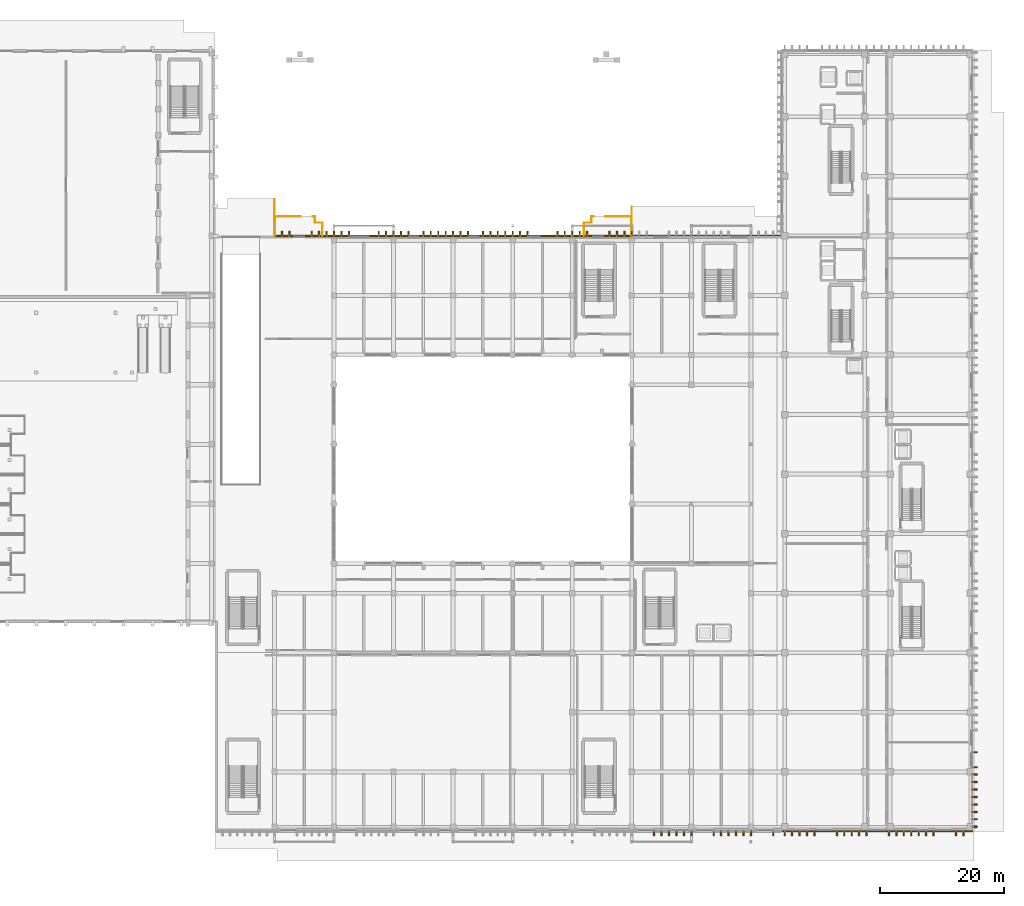
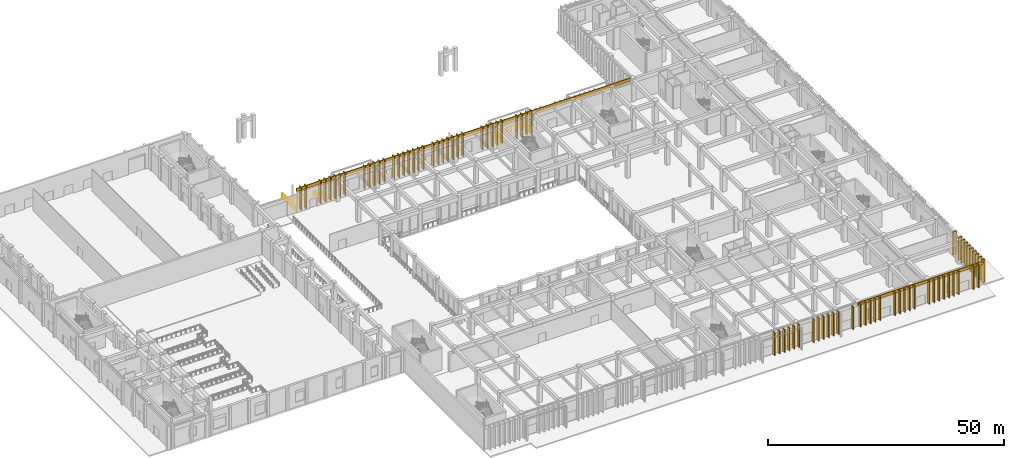
# One storey, part 75 of 87: 80 coverings, 78 shading devices, 6 railings.
"""IFC4 building model written with IfcOpenShell, lengths in metres."""

from ifc_helpers import new_model, si_unit, direction, frame, origin, origin_2d, place, context, subcontext, project, spatial, rectangle, circle, extrude, material, layer, layer_set, type_object, element, save


model = new_model("IFC4")

# Units and contexts
model_context = context("Model", 3, precision=1e-05, world=origin(), true_north=direction((0.0, 1.0)))
body_context = subcontext(model_context, "Body", "Model", "MODEL_VIEW")
ifc_project = project(units=[si_unit("LENGTHUNIT", "METRE"), si_unit("AREAUNIT", "SQUARE_METRE"), si_unit("VOLUMEUNIT", "CUBIC_METRE"), si_unit("PLANEANGLEUNIT", "RADIAN"), si_unit("MASSUNIT", "GRAM", prefix="KILO")], contexts=[model_context])

# Site, building, storey
site_placement = place(None, origin())
site = spatial("IfcSite", under=ifc_project, at=site_placement, CompositionType="ELEMENT")
building_placement = place(site_placement, origin())
building = spatial("IfcBuilding", under=site, at=building_placement, Name="Nakhvara Creek Congress Hotel", CompositionType="ELEMENT")
storey_placement = place(building_placement, origin())
storey = spatial("IfcBuildingStorey", under=building, at=storey_placement, Name="L00", CompositionType="ELEMENT", Elevation=0.0)

# Coverings
ifc_material_1 = material(Name="Honed pale Omani limestone architectural cladding", Category="masonry")
ifc_layer_1 = layer(ifc_material_1, 0.219970703125)
ifc_layer_set_1 = layer_set([ifc_layer_1], Name="Honed pale Omani limestone architectural cladding")
covering_type_1 = type_object("IfcCoveringType", Name="COV-FIN-850", PredefinedType="CLADDING", material=ifc_layer_set_1)
for number, where, z_axis, x_axis, name in (
    (1, (128.39990234375, -0.304931640625, 0.0), (0.0, 0.0, 1.0), (1.0, 0.0, 0.0), "Pale Limestone Fin Cladding CF01-0084"),
    (2, (129.60009765625, -0.304931640625, 0.0), (0.0, 0.0, 1.0), (1.0, 0.0, 0.0), "Pale Limestone Fin Cladding CF01-0085"),
    (3, (130.800048828125, -0.304931640625, 0.0), (0.0, 0.0, 1.0), (1.0, 0.0, 0.0), "Pale Limestone Fin Cladding CF01-0086"),
    (4, (132.0, -0.304931640625, 0.0), (0.0, 0.0, 1.0), (1.0, 0.0, 0.0), "Pale Limestone Fin Cladding CF01-0087"),
    (5, (133.199951171875, -0.304931640625, 0.0), (0.0, 0.0, 1.0), (1.0, 0.0, 0.0), "Pale Limestone Fin Cladding CF01-0088"),
    (6, (134.39990234375, -0.304931640625, 0.0), (0.0, 0.0, 1.0), (1.0, 0.0, 0.0), "Pale Limestone Fin Cladding CF01-0089"),
    (7, (138.0, -0.304931640625, 0.0), (0.0, 0.0, 1.0), (1.0, 0.0, 0.0), "Pale Limestone Fin Cladding CF01-0090"),
    (8, (139.199951171875, -0.304931640625, 0.0), (0.0, 0.0, 1.0), (1.0, 0.0, 0.0), "Pale Limestone Fin Cladding CF01-0091"),
    (9, (140.39990234375, -0.304931640625, 0.0), (0.0, 0.0, 1.0), (1.0, 0.0, 0.0), "Pale Limestone Fin Cladding CF01-0092"),
    (10, (141.60009765625, -0.304931640625, 0.0), (0.0, 0.0, 1.0), (1.0, 0.0, 0.0), "Pale Limestone Fin Cladding CF01-0093"),
    (11, (142.800048828125, -0.304931640625, 0.0), (0.0, 0.0, 1.0), (1.0, 0.0, 0.0), "Pale Limestone Fin Cladding CF01-0094"),
    (12, (144.0, -0.304931640625, 0.0), (0.0, 0.0, 1.0), (1.0, 0.0, 0.0), "Pale Limestone Fin Cladding CF01-0095"),
    (13, (147.60009765625, -0.304931640625, 0.0), (0.0, 0.0, 1.0), (1.0, 0.0, 0.0), "Pale Limestone Fin Cladding CF01-0096"),
    (14, (68.39990234375, 96.304931640625, 0.0), (0.0, 0.0, 1.0), (1.0, 0.0, 0.0), "Pale Limestone Fin Cladding CF01-0097"),
    (15, (69.60009765625, 96.304931640625, 0.0), (0.0, 0.0, 1.0), (1.0, 0.0, 0.0), "Pale Limestone Fin Cladding CF01-0098"),
    (16, (73.199951171875, 96.304931640625, 0.0), (0.0, 0.0, 1.0), (1.0, 0.0, 0.0), "Pale Limestone Fin Cladding CF01-0099"),
    (17, (74.39990234375, 96.304931640625, 0.0), (0.0, 0.0, 1.0), (1.0, 0.0, 0.0), "Pale Limestone Fin Cladding CF01-0100"),
    (18, (75.60009765625, 96.304931640625, 0.0), (0.0, 0.0, 1.0), (1.0, 0.0, 0.0), "Pale Limestone Fin Cladding CF01-0101"),
    (19, (76.800048828125, 96.304931640625, 0.0), (0.0, 0.0, 1.0), (1.0, 0.0, 0.0), "Pale Limestone Fin Cladding CF01-0102"),
    (20, (78.0, 96.304931640625, 0.0), (0.0, 0.0, 1.0), (1.0, 0.0, 0.0), "Pale Limestone Fin Cladding CF01-0103"),
    (21, (79.199951171875, 96.304931640625, 0.0), (0.0, 0.0, 1.0), (1.0, 0.0, 0.0), "Pale Limestone Fin Cladding CF01-0104"),
    (22, (84.0, 96.304931640625, 0.0), (0.0, 0.0, 1.0), (1.0, 0.0, 0.0), "Pale Limestone Fin Cladding CF01-0105"),
    (23, (85.199951171875, 96.304931640625, 0.0), (0.0, 0.0, 1.0), (1.0, 0.0, 0.0), "Pale Limestone Fin Cladding CF01-0106"),
    (24, (86.39990234375, 96.304931640625, 0.0), (0.0, 0.0, 1.0), (1.0, 0.0, 0.0), "Pale Limestone Fin Cladding CF01-0107"),
    (25, (87.60009765625, 96.304931640625, 0.0), (0.0, 0.0, 1.0), (1.0, 0.0, 0.0), "Pale Limestone Fin Cladding CF01-0108"),
    (26, (88.800048828125, 96.304931640625, 0.0), (0.0, 0.0, 1.0), (1.0, 0.0, 0.0), "Pale Limestone Fin Cladding CF01-0109"),
    (27, (91.199951171875, 96.304931640625, 0.0), (0.0, 0.0, 1.0), (1.0, 0.0, 0.0), "Pale Limestone Fin Cladding CF01-0110"),
    (28, (92.39990234375, 96.304931640625, 0.0), (0.0, 0.0, 1.0), (1.0, 0.0, 0.0), "Pale Limestone Fin Cladding CF01-0111"),
    (29, (93.60009765625, 96.304931640625, 0.0), (0.0, 0.0, 1.0), (1.0, 0.0, 0.0), "Pale Limestone Fin Cladding CF01-0112"),
    (30, (94.800048828125, 96.304931640625, 0.0), (0.0, 0.0, 1.0), (1.0, 0.0, 0.0), "Pale Limestone Fin Cladding CF01-0113"),
    (31, (96.0, 96.304931640625, 0.0), (0.0, 0.0, 1.0), (1.0, 0.0, 0.0), "Pale Limestone Fin Cladding CF01-0114"),
    (32, (97.199951171875, 96.304931640625, 0.0), (0.0, 0.0, 1.0), (1.0, 0.0, 0.0), "Pale Limestone Fin Cladding CF01-0115"),
    (33, (98.39990234375, 96.304931640625, 0.0), (0.0, 0.0, 1.0), (1.0, 0.0, 0.0), "Pale Limestone Fin Cladding CF01-0116"),
    (34, (100.800048828125, 96.304931640625, 0.0), (0.0, 0.0, 1.0), (1.0, 0.0, 0.0), "Pale Limestone Fin Cladding CF01-0117"),
    (35, (102.0, 96.304931640625, 0.0), (0.0, 0.0, 1.0), (1.0, 0.0, 0.0), "Pale Limestone Fin Cladding CF01-0118"),
    (36, (103.199951171875, 96.304931640625, 0.0), (0.0, 0.0, 1.0), (1.0, 0.0, 0.0), "Pale Limestone Fin Cladding CF01-0119"),
    (37, (104.39990234375, 96.304931640625, 0.0), (0.0, 0.0, 1.0), (1.0, 0.0, 0.0), "Pale Limestone Fin Cladding CF01-0120"),
    (38, (105.60009765625, 96.304931640625, 0.0), (0.0, 0.0, 1.0), (1.0, 0.0, 0.0), "Pale Limestone Fin Cladding CF01-0121"),
    (39, (106.800048828125, 96.304931640625, 0.0), (0.0, 0.0, 1.0), (1.0, 0.0, 0.0), "Pale Limestone Fin Cladding CF01-0122"),
    (40, (108.0, 96.304931640625, 0.0), (0.0, 0.0, 1.0), (1.0, 0.0, 0.0), "Pale Limestone Fin Cladding CF01-0123"),
    (41, (112.800048828125, 96.304931640625, 0.0), (0.0, 0.0, 1.0), (1.0, 0.0, 0.0), "Pale Limestone Fin Cladding CF01-0124"),
    (42, (114.0, 96.304931640625, 0.0), (0.0, 0.0, 1.0), (1.0, 0.0, 0.0), "Pale Limestone Fin Cladding CF01-0125"),
    (43, (115.199951171875, 96.304931640625, 0.0), (0.0, 0.0, 1.0), (1.0, 0.0, 0.0), "Pale Limestone Fin Cladding CF01-0126"),
    (44, (116.39990234375, 96.304931640625, 0.0), (0.0, 0.0, 1.0), (1.0, 0.0, 0.0), "Pale Limestone Fin Cladding CF01-0127"),
    (45, (117.60009765625, 96.304931640625, 0.0), (0.0, 0.0, 1.0), (1.0, 0.0, 0.0), "Pale Limestone Fin Cladding CF01-0128"),
    (46, (121.199951171875, 96.304931640625, 0.0), (0.0, 0.0, 1.0), (1.0, 0.0, 0.0), "Pale Limestone Fin Cladding CF01-0129"),
    (47, (122.39990234375, 96.304931640625, 0.0), (0.0, 0.0, 1.0), (1.0, 0.0, 0.0), "Pale Limestone Fin Cladding CF01-0130"),
    (48, (123.60009765625, 96.304931640625, 0.0), (0.0, 0.0, 1.0), (1.0, 0.0, 0.0), "Pale Limestone Fin Cladding CF01-0131"),
    (49, (124.800048828125, 96.304931640625, 0.0), (0.0, 0.0, 1.0), (1.0, 0.0, 0.0), "Pale Limestone Fin Cladding CF01-0132"),
):
    element("IfcCovering", number, at=place(storey_placement, frame(where, z_axis=z_axis, x_axis=x_axis)), inside=storey, type_object=covering_type_1, Name=name, PredefinedType="CLADDING", context=body_context, shape_type="SweptSolid", body=[
        extrude(rectangle(XDim=0.219970703125, YDim=0.85009765625, at=origin_2d()), origin(), (0.0, 0.0, 1.0), 5.919921875),
    ])
covering_1_placement = place(storey_placement, frame((180.054931640625, 0.75, 0.0), z_axis=(0.0, 0.0, 1.0), x_axis=(0.0, 1.0, 0.0)))
element("IfcCovering", 50, at=covering_1_placement, inside=storey, type_object=covering_type_1, Name="Pale Limestone Fin Cladding CF01-0533", PredefinedType="CLADDING", context=body_context, shape_type="SweptSolid", body=[
    extrude(rectangle(XDim=0.43994140625, YDim=0.85009765625, at=origin_2d()), origin(), (0.0, 0.0, 1.0), 5.9599609375),
])
for number, where, z_axis, x_axis, name in (
    (51, (180.054931640625, 1.949951171875, 0.0), (0.0, 0.0, 1.0), (0.0, 1.0, 0.0), "Pale Limestone Fin Cladding CF01-0534"),
    (52, (180.054931640625, 3.14990234375, 0.0), (0.0, 0.0, 1.0), (0.0, 1.0, 0.0), "Pale Limestone Fin Cladding CF01-0535"),
    (53, (180.054931640625, 4.35009765625, 0.0), (0.0, 0.0, 1.0), (0.0, 1.0, 0.0), "Pale Limestone Fin Cladding CF01-0536"),
    (54, (180.054931640625, 5.550048828125, 0.0), (0.0, 0.0, 1.0), (0.0, 1.0, 0.0), "Pale Limestone Fin Cladding CF01-0537"),
    (55, (180.054931640625, 6.75, 0.0), (0.0, 0.0, 1.0), (0.0, 1.0, 0.0), "Pale Limestone Fin Cladding CF01-0538"),
    (56, (180.054931640625, 7.949951171875, 0.0), (0.0, 0.0, 1.0), (0.0, 1.0, 0.0), "Pale Limestone Fin Cladding CF01-0539"),
    (57, (180.054931640625, 9.14990234375, 0.0), (0.0, 0.0, 1.0), (0.0, 1.0, 0.0), "Pale Limestone Fin Cladding CF01-0540"),
    (58, (180.054931640625, 10.35009765625, 0.0), (0.0, 0.0, 1.0), (0.0, 1.0, 0.0), "Pale Limestone Fin Cladding CF01-0541"),
    (59, (180.054931640625, 12.75, 0.0), (0.0, 0.0, 1.0), (0.0, 1.0, 0.0), "Pale Limestone Fin Cladding CF01-0542"),
    (60, (149.449951171875, -0.264892578125, 0.0), (0.0, 0.0, 1.0), (1.0, 0.0, 0.0), "Pale Limestone Fin Cladding CF01-0635"),
    (61, (150.64990234375, -0.264892578125, 0.0), (0.0, 0.0, 1.0), (1.0, 0.0, 0.0), "Pale Limestone Fin Cladding CF01-0637"),
    (62, (151.85009765625, -0.264892578125, 0.0), (0.0, 0.0, 1.0), (1.0, 0.0, 0.0), "Pale Limestone Fin Cladding CF01-0639"),
    (63, (153.050048828125, -0.264892578125, 0.0), (0.0, 0.0, 1.0), (1.0, 0.0, 0.0), "Pale Limestone Fin Cladding CF01-0641"),
    (64, (154.25, -0.264892578125, 0.0), (0.0, 0.0, 1.0), (1.0, 0.0, 0.0), "Pale Limestone Fin Cladding CF01-0642"),
    (65, (157.85009765625, -0.264892578125, 0.0), (0.0, 0.0, 1.0), (1.0, 0.0, 0.0), "Pale Limestone Fin Cladding CF01-0646"),
    (66, (159.050048828125, -0.264892578125, 0.0), (0.0, 0.0, 1.0), (1.0, 0.0, 0.0), "Pale Limestone Fin Cladding CF01-0648"),
    (67, (160.25, -0.264892578125, 0.0), (0.0, 0.0, 1.0), (1.0, 0.0, 0.0), "Pale Limestone Fin Cladding CF01-0650"),
    (68, (161.449951171875, -0.264892578125, 0.0), (0.0, 0.0, 1.0), (1.0, 0.0, 0.0), "Pale Limestone Fin Cladding CF01-0652"),
    (69, (162.64990234375, -0.264892578125, 0.0), (0.0, 0.0, 1.0), (1.0, 0.0, 0.0), "Pale Limestone Fin Cladding CF01-0654"),
    (70, (166.25, -0.264892578125, 0.0), (0.0, 0.0, 1.0), (1.0, 0.0, 0.0), "Pale Limestone Fin Cladding CF01-0658"),
    (71, (167.449951171875, -0.264892578125, 0.0), (0.0, 0.0, 1.0), (1.0, 0.0, 0.0), "Pale Limestone Fin Cladding CF01-0660"),
    (72, (168.64990234375, -0.264892578125, 0.0), (0.0, 0.0, 1.0), (1.0, 0.0, 0.0), "Pale Limestone Fin Cladding CF01-0662"),
    (73, (169.85009765625, -0.264892578125, 0.0), (0.0, 0.0, 1.0), (1.0, 0.0, 0.0), "Pale Limestone Fin Cladding CF01-0664"),
    (74, (171.050048828125, -0.264892578125, 0.0), (0.0, 0.0, 1.0), (1.0, 0.0, 0.0), "Pale Limestone Fin Cladding CF01-0666"),
    (75, (172.25, -0.264892578125, 0.0), (0.0, 0.0, 1.0), (1.0, 0.0, 0.0), "Pale Limestone Fin Cladding CF01-0668"),
    (76, (173.449951171875, -0.264892578125, 0.0), (0.0, 0.0, 1.0), (1.0, 0.0, 0.0), "Pale Limestone Fin Cladding CF01-0670"),
    (77, (177.050048828125, -0.264892578125, 0.0), (0.0, 0.0, 1.0), (1.0, 0.0, 0.0), "Pale Limestone Fin Cladding CF01-0674"),
    (78, (178.25, -0.264892578125, 0.0), (0.0, 0.0, 1.0), (1.0, 0.0, 0.0), "Pale Limestone Fin Cladding CF01-0676"),
):
    element("IfcCovering", number, at=place(storey_placement, frame(where, z_axis=z_axis, x_axis=x_axis)), inside=storey, type_object=covering_type_1, Name=name, PredefinedType="CLADDING", context=body_context, shape_type="SweptSolid", body=[
        extrude(rectangle(XDim=0.219970703125, YDim=0.85009765625, at=origin_2d()), origin(), (0.0, 0.0, 1.0), 5.9599609375),
    ])
ifc_layer_2 = layer(ifc_material_1, 0.179931640625)
ifc_layer_set_2 = layer_set([ifc_layer_2], Name="Honed pale Omani limestone architectural cladding")
covering_type_2 = type_object("IfcCoveringType", Name="COV-SPN-180", PredefinedType="CLADDING", material=ifc_layer_set_2)
covering_2_placement = place(storey_placement, frame((108.0, 95.989990234375, 5.23974609375), z_axis=(0.0, 0.0, 1.0), x_axis=(1.0, 0.0, 0.0)))
element("IfcCovering", 79, at=covering_2_placement, inside=storey, type_object=covering_type_2, Name="Pale Limestone Spandrel Band CF02-0002", PredefinedType="CLADDING", context=body_context, shape_type="SweptSolid", body=[
    extrude(rectangle(XDim=81.60009765625, YDim=0.219970703125, at=origin_2d()), origin(), (0.0, 0.0, 1.0), 0.780029296875),
])
covering_3_placement = place(storey_placement, frame((164.39990234375, 0.030029296875, 5.31005859375), z_axis=(0.0, 0.0, 1.0), x_axis=(1.0, 0.0, 0.0)))
element("IfcCovering", 80, at=covering_3_placement, inside=storey, type_object=covering_type_2, Name="Pale Limestone Spandrel Band CF02-0044", PredefinedType="CLADDING", context=body_context, shape_type="SweptSolid", body=[
    extrude(rectangle(XDim=30.699951171875, YDim=0.219970703125, at=origin_2d()), origin(), (0.0, 0.0, 1.0), 0.72998046875),
])

# Railings
ifc_material_2 = material(Name="Bronze-anodised aluminium and laminated safety glass balustrade", Category="aluminium")
railing_type = type_object("IfcRailingType", Name="RL-BALUS-1200", PredefinedType="BALUSTRADE", material=ifc_material_2)
railing_1_placement = place(storey_placement, frame((67.280029296875, 96.080078125, 0.0)))
element("IfcRailing", 81, at=railing_1_placement, inside=storey, type_object=railing_type, Name="Forecourt Promenade Balustrade GRD-PROM-W1", PredefinedType="BALUSTRADE", context=body_context, shape_type="SweptSolid", body=[
    extrude(circle(Radius=0.02392578125, at=origin_2d()), frame((0.0, 0.0146484375, 1.17578125), z_axis=(0.0, 1.0, 0.0), x_axis=(-1.0, 0.0, 0.0)), (0.0, 0.0, 1.0), 3.0107421875),
    extrude(circle(Radius=0.02392578125, at=origin_2d()), frame((0.0146484375, 3.0400390625, 1.17578125), z_axis=(1.0, 0.0, 0.0), x_axis=(0.0, 1.0, 0.0)), (0.0, 0.0, 1.0), 4.140625),
    extrude(circle(Radius=0.02099609375, at=origin_2d()), origin(), (0.0, 0.0, 1.0), 1.1806640625),
    extrude(circle(Radius=0.02099609375, at=origin_2d()), frame((0.0, 1.013427734375, 0.0)), (0.0, 0.0, 1.0), 1.1806640625),
    extrude(circle(Radius=0.02099609375, at=origin_2d()), frame((0.0, 2.026611328125, 0.0)), (0.0, 0.0, 1.0), 1.1806640625),
    extrude(circle(Radius=0.02099609375, at=origin_2d()), frame((0.0, 3.0400390625, 0.0)), (0.0, 0.0, 1.0), 1.1806640625),
    extrude(circle(Radius=0.02099609375, at=origin_2d()), frame((1.04248046875, 3.0400390625, 0.0)), (0.0, 0.0, 1.0), 1.1806640625),
    extrude(circle(Radius=0.02099609375, at=origin_2d()), frame((2.0849609375, 3.0400390625, 0.0)), (0.0, 0.0, 1.0), 1.1806640625),
    extrude(circle(Radius=0.02099609375, at=origin_2d()), frame((3.12744140625, 3.0400390625, 0.0)), (0.0, 0.0, 1.0), 1.1806640625),
    extrude(circle(Radius=0.02099609375, at=origin_2d()), frame((4.169921875, 3.0400390625, 0.0)), (0.0, 0.0, 1.0), 1.1806640625),
])
railing_2_placement = place(storey_placement, frame((73.35009765625, 99.1201171875, 0.0)))
element("IfcRailing", 82, at=railing_2_placement, inside=storey, type_object=railing_type, Name="Forecourt Promenade Balustrade GRD-PROM-W2", PredefinedType="BALUSTRADE", context=body_context, shape_type="SweptSolid", body=[
    extrude(circle(Radius=0.02392578125, at=origin_2d()), frame((0.0146484375, 0.0, 1.17578125), z_axis=(1.0, 0.0, 0.0), x_axis=(0.0, 1.0, 0.0)), (0.0, 0.0, 1.0), 0.340576171875),
    extrude(circle(Radius=0.02392578125, at=origin_2d()), frame((0.369873046875, -0.0146484375, 1.17578125), z_axis=(0.0, -1.0, 0.0), x_axis=(1.0, 0.0, 0.0)), (0.0, 0.0, 1.0), 0.970703125),
    extrude(circle(Radius=0.02392578125, at=origin_2d()), frame((0.384521484375, -1.0, 1.17578125), z_axis=(1.0, 0.0, 0.0), x_axis=(0.0, 1.0, 0.0)), (0.0, 0.0, 1.0), 1.170654296875),
    extrude(circle(Radius=0.02392578125, at=origin_2d()), frame((1.56982421875, -1.0146484375, 1.17578125), z_axis=(0.0, -1.0, 0.0), x_axis=(1.0, 0.0, 0.0)), (0.0, 0.0, 1.0), 2.0107421875),
    extrude(circle(Radius=0.02099609375, at=origin_2d()), origin(), (0.0, 0.0, 1.0), 1.1806640625),
    extrude(circle(Radius=0.02099609375, at=origin_2d()), frame((0.369873046875, 0.0, 0.0)), (0.0, 0.0, 1.0), 1.1806640625),
    extrude(circle(Radius=0.02099609375, at=origin_2d()), frame((0.369873046875, -1.0, 0.0)), (0.0, 0.0, 1.0), 1.1806640625),
    extrude(circle(Radius=0.02099609375, at=origin_2d()), frame((1.56982421875, -1.0, 0.0)), (0.0, 0.0, 1.0), 1.1806640625),
    extrude(circle(Radius=0.02099609375, at=origin_2d()), frame((1.56982421875, -2.02001953125, 0.0)), (0.0, 0.0, 1.0), 1.1806640625),
    extrude(circle(Radius=0.02099609375, at=origin_2d()), frame((1.56982421875, -3.0400390625, 0.0)), (0.0, 0.0, 1.0), 1.1806640625),
])
railing_3_placement = place(storey_placement, frame((124.719970703125, 96.080078125, 0.0)))
element("IfcRailing", 83, at=railing_3_placement, inside=storey, type_object=railing_type, Name="Forecourt Promenade Balustrade GRD-PROM-E1", PredefinedType="BALUSTRADE", context=body_context, shape_type="SweptSolid", body=[
    extrude(circle(Radius=0.02392578125, at=origin_2d()), frame((0.0, 0.0146484375, 1.17578125), z_axis=(0.0, 1.0, 0.0), x_axis=(-1.0, 0.0, 0.0)), (0.0, 0.0, 1.0), 3.0107421875),
    extrude(circle(Radius=0.02392578125, at=origin_2d()), frame((-0.0146484375, 3.0400390625, 1.17578125), z_axis=(-1.0, 0.0, 0.0), x_axis=(0.0, -1.0, 0.0)), (0.0, 0.0, 1.0), 4.140625),
    extrude(circle(Radius=0.02099609375, at=origin_2d()), origin(), (0.0, 0.0, 1.0), 1.1806640625),
    extrude(circle(Radius=0.02099609375, at=origin_2d()), frame((0.0, 1.013427734375, 0.0)), (0.0, 0.0, 1.0), 1.1806640625),
    extrude(circle(Radius=0.02099609375, at=origin_2d()), frame((0.0, 2.026611328125, 0.0)), (0.0, 0.0, 1.0), 1.1806640625),
    extrude(circle(Radius=0.02099609375, at=origin_2d()), frame((0.0, 3.0400390625, 0.0)), (0.0, 0.0, 1.0), 1.1806640625),
    extrude(circle(Radius=0.02099609375, at=origin_2d()), frame((-1.04248046875, 3.0400390625, 0.0)), (0.0, 0.0, 1.0), 1.1806640625),
    extrude(circle(Radius=0.02099609375, at=origin_2d()), frame((-2.0849609375, 3.0400390625, 0.0)), (0.0, 0.0, 1.0), 1.1806640625),
    extrude(circle(Radius=0.02099609375, at=origin_2d()), frame((-3.12744140625, 3.0400390625, 0.0)), (0.0, 0.0, 1.0), 1.1806640625),
    extrude(circle(Radius=0.02099609375, at=origin_2d()), frame((-4.169921875, 3.0400390625, 0.0)), (0.0, 0.0, 1.0), 1.1806640625),
])
railing_4_placement = place(storey_placement, frame((118.64990234375, 99.1201171875, 0.0)))
element("IfcRailing", 84, at=railing_4_placement, inside=storey, type_object=railing_type, Name="Forecourt Promenade Balustrade GRD-PROM-E2", PredefinedType="BALUSTRADE", context=body_context, shape_type="SweptSolid", body=[
    extrude(circle(Radius=0.02392578125, at=origin_2d()), frame((-0.0146484375, 0.0, 1.17578125), z_axis=(-1.0, 0.0, 0.0), x_axis=(0.0, -1.0, 0.0)), (0.0, 0.0, 1.0), 0.340576171875),
    extrude(circle(Radius=0.02392578125, at=origin_2d()), frame((-0.369873046875, -0.0146484375, 1.17578125), z_axis=(0.0, -1.0, 0.0), x_axis=(1.0, 0.0, 0.0)), (0.0, 0.0, 1.0), 0.970703125),
    extrude(circle(Radius=0.02392578125, at=origin_2d()), frame((-0.384521484375, -1.0, 1.17578125), z_axis=(-1.0, 0.0, 0.0), x_axis=(0.0, -1.0, 0.0)), (0.0, 0.0, 1.0), 1.170654296875),
    extrude(circle(Radius=0.02392578125, at=origin_2d()), frame((-1.56982421875, -1.0146484375, 1.17578125), z_axis=(0.0, -1.0, 0.0), x_axis=(1.0, 0.0, 0.0)), (0.0, 0.0, 1.0), 2.0107421875),
    extrude(circle(Radius=0.02099609375, at=origin_2d()), origin(), (0.0, 0.0, 1.0), 1.1806640625),
    extrude(circle(Radius=0.02099609375, at=origin_2d()), frame((-0.369873046875, 0.0, 0.0)), (0.0, 0.0, 1.0), 1.1806640625),
    extrude(circle(Radius=0.02099609375, at=origin_2d()), frame((-0.369873046875, -1.0, 0.0)), (0.0, 0.0, 1.0), 1.1806640625),
    extrude(circle(Radius=0.02099609375, at=origin_2d()), frame((-1.56982421875, -1.0, 0.0)), (0.0, 0.0, 1.0), 1.1806640625),
    extrude(circle(Radius=0.02099609375, at=origin_2d()), frame((-1.56982421875, -2.02001953125, 0.0)), (0.0, 0.0, 1.0), 1.1806640625),
    extrude(circle(Radius=0.02099609375, at=origin_2d()), frame((-1.56982421875, -3.0400390625, 0.0)), (0.0, 0.0, 1.0), 1.1806640625),
])
railing_5_placement = place(storey_placement, frame((67.199951171875, 96.080078125, 0.0)))
element("IfcRailing", 85, at=railing_5_placement, inside=storey, type_object=railing_type, Name="Forecourt West Rim Guard", PredefinedType="BALUSTRADE", context=body_context, shape_type="SweptSolid", body=[
    extrude(circle(Radius=0.02392578125, at=origin_2d()), frame((0.0, 0.0146484375, 1.17578125), z_axis=(0.0, 1.0, 0.0), x_axis=(-1.0, 0.0, 0.0)), (0.0, 0.0, 1.0), 5.79052734375),
    extrude(circle(Radius=0.02099609375, at=origin_2d()), origin(), (0.0, 0.0, 1.0), 1.1806640625),
    extrude(circle(Radius=0.02099609375, at=origin_2d()), frame((0.0, 1.1640625, 0.0)), (0.0, 0.0, 1.0), 1.1806640625),
    extrude(circle(Radius=0.02099609375, at=origin_2d()), frame((0.0, 2.327880859375, 0.0)), (0.0, 0.0, 1.0), 1.1806640625),
    extrude(circle(Radius=0.02099609375, at=origin_2d()), frame((0.0, 3.491943359375, 0.0)), (0.0, 0.0, 1.0), 1.1806640625),
    extrude(circle(Radius=0.02099609375, at=origin_2d()), frame((0.0, 4.65576171875, 0.0)), (0.0, 0.0, 1.0), 1.1806640625),
    extrude(circle(Radius=0.02099609375, at=origin_2d()), frame((0.0, 5.81982421875, 0.0)), (0.0, 0.0, 1.0), 1.1806640625),
])
railing_6_placement = place(storey_placement, frame((124.800048828125, 96.080078125, 0.0)))
element("IfcRailing", 86, at=railing_6_placement, inside=storey, type_object=railing_type, Name="Forecourt East Rim Guard", PredefinedType="BALUSTRADE", context=body_context, shape_type="SweptSolid", body=[
    extrude(circle(Radius=0.02392578125, at=origin_2d()), frame((0.0, 0.0146484375, 1.17578125), z_axis=(0.0, 1.0, 0.0), x_axis=(-1.0, 0.0, 0.0)), (0.0, 0.0, 1.0), 4.590576171875),
    extrude(circle(Radius=0.02099609375, at=origin_2d()), origin(), (0.0, 0.0, 1.0), 1.1806640625),
    extrude(circle(Radius=0.02099609375, at=origin_2d()), frame((0.0, 1.155029296875, 0.0)), (0.0, 0.0, 1.0), 1.1806640625),
    extrude(circle(Radius=0.02099609375, at=origin_2d()), frame((0.0, 2.31005859375, 0.0)), (0.0, 0.0, 1.0), 1.1806640625),
    extrude(circle(Radius=0.02099609375, at=origin_2d()), frame((0.0, 3.46484375, 0.0)), (0.0, 0.0, 1.0), 1.1806640625),
    extrude(circle(Radius=0.02099609375, at=origin_2d()), frame((0.0, 4.619873046875, 0.0)), (0.0, 0.0, 1.0), 1.1806640625),
])

# Shading devices
ifc_material_3 = material(Name="Honed pale Omani limestone cladding on stainless steel spine", Category="masonry")
shading_device_type = type_object("IfcShadingDeviceType", Name="SHD-FIN-850X5800", PredefinedType="USERDEFINED", material=ifc_material_3)
for number, where, z_axis, x_axis, name in (
    (87, (128.39990234375, -0.304931640625, 0.0), (0.0, 0.0, 1.0), (1.0, 0.0, 0.0), "Limestone Solar Fin FN03-0084"),
    (88, (129.60009765625, -0.304931640625, 0.0), (0.0, 0.0, 1.0), (1.0, 0.0, 0.0), "Limestone Solar Fin FN03-0085"),
    (89, (130.800048828125, -0.304931640625, 0.0), (0.0, 0.0, 1.0), (1.0, 0.0, 0.0), "Limestone Solar Fin FN03-0086"),
    (90, (132.0, -0.304931640625, 0.0), (0.0, 0.0, 1.0), (1.0, 0.0, 0.0), "Limestone Solar Fin FN03-0087"),
    (91, (133.199951171875, -0.304931640625, 0.0), (0.0, 0.0, 1.0), (1.0, 0.0, 0.0), "Limestone Solar Fin FN03-0088"),
    (92, (134.39990234375, -0.304931640625, 0.0), (0.0, 0.0, 1.0), (1.0, 0.0, 0.0), "Limestone Solar Fin FN03-0089"),
    (93, (138.0, -0.304931640625, 0.0), (0.0, 0.0, 1.0), (1.0, 0.0, 0.0), "Limestone Solar Fin FN03-0090"),
    (94, (139.199951171875, -0.304931640625, 0.0), (0.0, 0.0, 1.0), (1.0, 0.0, 0.0), "Limestone Solar Fin FN03-0091"),
    (95, (140.39990234375, -0.304931640625, 0.0), (0.0, 0.0, 1.0), (1.0, 0.0, 0.0), "Limestone Solar Fin FN03-0092"),
    (96, (141.60009765625, -0.304931640625, 0.0), (0.0, 0.0, 1.0), (1.0, 0.0, 0.0), "Limestone Solar Fin FN03-0093"),
    (97, (142.800048828125, -0.304931640625, 0.0), (0.0, 0.0, 1.0), (1.0, 0.0, 0.0), "Limestone Solar Fin FN03-0094"),
    (98, (144.0, -0.304931640625, 0.0), (0.0, 0.0, 1.0), (1.0, 0.0, 0.0), "Limestone Solar Fin FN03-0095"),
    (99, (147.60009765625, -0.304931640625, 0.0), (0.0, 0.0, 1.0), (1.0, 0.0, 0.0), "Limestone Solar Fin FN03-0096"),
    (100, (68.39990234375, 96.304931640625, 0.0), (0.0, 0.0, 1.0), (1.0, 0.0, 0.0), "Limestone Solar Fin FN03-0097"),
    (101, (69.60009765625, 96.304931640625, 0.0), (0.0, 0.0, 1.0), (1.0, 0.0, 0.0), "Limestone Solar Fin FN03-0098"),
    (102, (73.199951171875, 96.304931640625, 0.0), (0.0, 0.0, 1.0), (1.0, 0.0, 0.0), "Limestone Solar Fin FN03-0099"),
    (103, (74.39990234375, 96.304931640625, 0.0), (0.0, 0.0, 1.0), (1.0, 0.0, 0.0), "Limestone Solar Fin FN03-0100"),
    (104, (75.60009765625, 96.304931640625, 0.0), (0.0, 0.0, 1.0), (1.0, 0.0, 0.0), "Limestone Solar Fin FN03-0101"),
    (105, (76.800048828125, 96.304931640625, 0.0), (0.0, 0.0, 1.0), (1.0, 0.0, 0.0), "Limestone Solar Fin FN03-0102"),
    (106, (78.0, 96.304931640625, 0.0), (0.0, 0.0, 1.0), (1.0, 0.0, 0.0), "Limestone Solar Fin FN03-0103"),
    (107, (79.199951171875, 96.304931640625, 0.0), (0.0, 0.0, 1.0), (1.0, 0.0, 0.0), "Limestone Solar Fin FN03-0104"),
    (108, (84.0, 96.304931640625, 0.0), (0.0, 0.0, 1.0), (1.0, 0.0, 0.0), "Limestone Solar Fin FN03-0105"),
    (109, (85.199951171875, 96.304931640625, 0.0), (0.0, 0.0, 1.0), (1.0, 0.0, 0.0), "Limestone Solar Fin FN03-0106"),
    (110, (86.39990234375, 96.304931640625, 0.0), (0.0, 0.0, 1.0), (1.0, 0.0, 0.0), "Limestone Solar Fin FN03-0107"),
    (111, (87.60009765625, 96.304931640625, 0.0), (0.0, 0.0, 1.0), (1.0, 0.0, 0.0), "Limestone Solar Fin FN03-0108"),
    (112, (88.800048828125, 96.304931640625, 0.0), (0.0, 0.0, 1.0), (1.0, 0.0, 0.0), "Limestone Solar Fin FN03-0109"),
    (113, (91.199951171875, 96.304931640625, 0.0), (0.0, 0.0, 1.0), (1.0, 0.0, 0.0), "Limestone Solar Fin FN03-0110"),
    (114, (92.39990234375, 96.304931640625, 0.0), (0.0, 0.0, 1.0), (1.0, 0.0, 0.0), "Limestone Solar Fin FN03-0111"),
    (115, (93.60009765625, 96.304931640625, 0.0), (0.0, 0.0, 1.0), (1.0, 0.0, 0.0), "Limestone Solar Fin FN03-0112"),
    (116, (94.800048828125, 96.304931640625, 0.0), (0.0, 0.0, 1.0), (1.0, 0.0, 0.0), "Limestone Solar Fin FN03-0113"),
    (117, (96.0, 96.304931640625, 0.0), (0.0, 0.0, 1.0), (1.0, 0.0, 0.0), "Limestone Solar Fin FN03-0114"),
    (118, (97.199951171875, 96.304931640625, 0.0), (0.0, 0.0, 1.0), (1.0, 0.0, 0.0), "Limestone Solar Fin FN03-0115"),
    (119, (98.39990234375, 96.304931640625, 0.0), (0.0, 0.0, 1.0), (1.0, 0.0, 0.0), "Limestone Solar Fin FN03-0116"),
    (120, (100.800048828125, 96.304931640625, 0.0), (0.0, 0.0, 1.0), (1.0, 0.0, 0.0), "Limestone Solar Fin FN03-0117"),
    (121, (102.0, 96.304931640625, 0.0), (0.0, 0.0, 1.0), (1.0, 0.0, 0.0), "Limestone Solar Fin FN03-0118"),
    (122, (103.199951171875, 96.304931640625, 0.0), (0.0, 0.0, 1.0), (1.0, 0.0, 0.0), "Limestone Solar Fin FN03-0119"),
    (123, (104.39990234375, 96.304931640625, 0.0), (0.0, 0.0, 1.0), (1.0, 0.0, 0.0), "Limestone Solar Fin FN03-0120"),
    (124, (105.60009765625, 96.304931640625, 0.0), (0.0, 0.0, 1.0), (1.0, 0.0, 0.0), "Limestone Solar Fin FN03-0121"),
    (125, (106.800048828125, 96.304931640625, 0.0), (0.0, 0.0, 1.0), (1.0, 0.0, 0.0), "Limestone Solar Fin FN03-0122"),
    (126, (108.0, 96.304931640625, 0.0), (0.0, 0.0, 1.0), (1.0, 0.0, 0.0), "Limestone Solar Fin FN03-0123"),
    (127, (112.800048828125, 96.304931640625, 0.0), (0.0, 0.0, 1.0), (1.0, 0.0, 0.0), "Limestone Solar Fin FN03-0124"),
    (128, (114.0, 96.304931640625, 0.0), (0.0, 0.0, 1.0), (1.0, 0.0, 0.0), "Limestone Solar Fin FN03-0125"),
    (129, (115.199951171875, 96.304931640625, 0.0), (0.0, 0.0, 1.0), (1.0, 0.0, 0.0), "Limestone Solar Fin FN03-0126"),
    (130, (116.39990234375, 96.304931640625, 0.0), (0.0, 0.0, 1.0), (1.0, 0.0, 0.0), "Limestone Solar Fin FN03-0127"),
    (131, (117.60009765625, 96.304931640625, 0.0), (0.0, 0.0, 1.0), (1.0, 0.0, 0.0), "Limestone Solar Fin FN03-0128"),
    (132, (121.199951171875, 96.304931640625, 0.0), (0.0, 0.0, 1.0), (1.0, 0.0, 0.0), "Limestone Solar Fin FN03-0129"),
    (133, (122.39990234375, 96.304931640625, 0.0), (0.0, 0.0, 1.0), (1.0, 0.0, 0.0), "Limestone Solar Fin FN03-0130"),
    (134, (123.60009765625, 96.304931640625, 0.0), (0.0, 0.0, 1.0), (1.0, 0.0, 0.0), "Limestone Solar Fin FN03-0131"),
    (135, (124.800048828125, 96.304931640625, 0.0), (0.0, 0.0, 1.0), (1.0, 0.0, 0.0), "Limestone Solar Fin FN03-0132"),
):
    element("IfcShadingDevice", number, at=place(storey_placement, frame(where, z_axis=z_axis, x_axis=x_axis)), inside=storey, type_object=shading_device_type, Name=name, ObjectType="FIN", PredefinedType="USERDEFINED", context=body_context, shape_type="SweptSolid", body=[
        extrude(rectangle(XDim=0.219970703125, YDim=0.85009765625, at=origin_2d()), origin(), (0.0, 0.0, 1.0), 5.919921875),
    ])
for number, where, z_axis, x_axis, name in (
    (136, (180.054931640625, 0.75, 0.0), (0.0, 0.0, 1.0), (0.0, 1.0, 0.0), "Limestone Solar Fin FN03-0398"),
    (137, (180.054931640625, 1.949951171875, 0.0), (0.0, 0.0, 1.0), (0.0, 1.0, 0.0), "Limestone Solar Fin FN03-0399"),
    (138, (180.054931640625, 3.14990234375, 0.0), (0.0, 0.0, 1.0), (0.0, 1.0, 0.0), "Limestone Solar Fin FN03-0400"),
    (139, (180.054931640625, 4.35009765625, 0.0), (0.0, 0.0, 1.0), (0.0, 1.0, 0.0), "Limestone Solar Fin FN03-0401"),
    (140, (180.054931640625, 5.550048828125, 0.0), (0.0, 0.0, 1.0), (0.0, 1.0, 0.0), "Limestone Solar Fin FN03-0402"),
    (141, (180.054931640625, 6.75, 0.0), (0.0, 0.0, 1.0), (0.0, 1.0, 0.0), "Limestone Solar Fin FN03-0403"),
    (142, (180.054931640625, 7.949951171875, 0.0), (0.0, 0.0, 1.0), (0.0, 1.0, 0.0), "Limestone Solar Fin FN03-0404"),
    (143, (180.054931640625, 9.14990234375, 0.0), (0.0, 0.0, 1.0), (0.0, 1.0, 0.0), "Limestone Solar Fin FN03-0405"),
    (144, (180.054931640625, 10.35009765625, 0.0), (0.0, 0.0, 1.0), (0.0, 1.0, 0.0), "Limestone Solar Fin FN03-0406"),
    (145, (180.054931640625, 12.75, 0.0), (0.0, 0.0, 1.0), (0.0, 1.0, 0.0), "Limestone Solar Fin FN03-0407"),
    (146, (149.449951171875, -0.264892578125, 0.0), (0.0, 0.0, 1.0), (1.0, 0.0, 0.0), "Limestone Solar Fin FN03-0500"),
    (147, (150.64990234375, -0.264892578125, 0.0), (0.0, 0.0, 1.0), (1.0, 0.0, 0.0), "Limestone Solar Fin FN03-0502"),
    (148, (151.85009765625, -0.264892578125, 0.0), (0.0, 0.0, 1.0), (1.0, 0.0, 0.0), "Limestone Solar Fin FN03-0504"),
    (149, (153.050048828125, -0.264892578125, 0.0), (0.0, 0.0, 1.0), (1.0, 0.0, 0.0), "Limestone Solar Fin FN03-0506"),
    (150, (154.25, -0.264892578125, 0.0), (0.0, 0.0, 1.0), (1.0, 0.0, 0.0), "Limestone Solar Fin FN03-0507"),
    (151, (157.85009765625, -0.264892578125, 0.0), (0.0, 0.0, 1.0), (1.0, 0.0, 0.0), "Limestone Solar Fin FN03-0511"),
    (152, (159.050048828125, -0.264892578125, 0.0), (0.0, 0.0, 1.0), (1.0, 0.0, 0.0), "Limestone Solar Fin FN03-0513"),
    (153, (160.25, -0.264892578125, 0.0), (0.0, 0.0, 1.0), (1.0, 0.0, 0.0), "Limestone Solar Fin FN03-0515"),
    (154, (161.449951171875, -0.264892578125, 0.0), (0.0, 0.0, 1.0), (1.0, 0.0, 0.0), "Limestone Solar Fin FN03-0517"),
    (155, (162.64990234375, -0.264892578125, 0.0), (0.0, 0.0, 1.0), (1.0, 0.0, 0.0), "Limestone Solar Fin FN03-0519"),
    (156, (166.25, -0.264892578125, 0.0), (0.0, 0.0, 1.0), (1.0, 0.0, 0.0), "Limestone Solar Fin FN03-0523"),
    (157, (167.449951171875, -0.264892578125, 0.0), (0.0, 0.0, 1.0), (1.0, 0.0, 0.0), "Limestone Solar Fin FN03-0525"),
    (158, (168.64990234375, -0.264892578125, 0.0), (0.0, 0.0, 1.0), (1.0, 0.0, 0.0), "Limestone Solar Fin FN03-0527"),
    (159, (169.85009765625, -0.264892578125, 0.0), (0.0, 0.0, 1.0), (1.0, 0.0, 0.0), "Limestone Solar Fin FN03-0529"),
    (160, (171.050048828125, -0.264892578125, 0.0), (0.0, 0.0, 1.0), (1.0, 0.0, 0.0), "Limestone Solar Fin FN03-0531"),
    (161, (172.25, -0.264892578125, 0.0), (0.0, 0.0, 1.0), (1.0, 0.0, 0.0), "Limestone Solar Fin FN03-0533"),
    (162, (173.449951171875, -0.264892578125, 0.0), (0.0, 0.0, 1.0), (1.0, 0.0, 0.0), "Limestone Solar Fin FN03-0535"),
    (163, (177.050048828125, -0.264892578125, 0.0), (0.0, 0.0, 1.0), (1.0, 0.0, 0.0), "Limestone Solar Fin FN03-0539"),
    (164, (178.25, -0.264892578125, 0.0), (0.0, 0.0, 1.0), (1.0, 0.0, 0.0), "Limestone Solar Fin FN03-0541"),
):
    element("IfcShadingDevice", number, at=place(storey_placement, frame(where, z_axis=z_axis, x_axis=x_axis)), inside=storey, type_object=shading_device_type, Name=name, ObjectType="FIN", PredefinedType="USERDEFINED", context=body_context, shape_type="SweptSolid", body=[
        extrude(rectangle(XDim=0.219970703125, YDim=0.85009765625, at=origin_2d()), origin(), (0.0, 0.0, 1.0), 5.9599609375),
    ])

save(model, "model.ifc")
